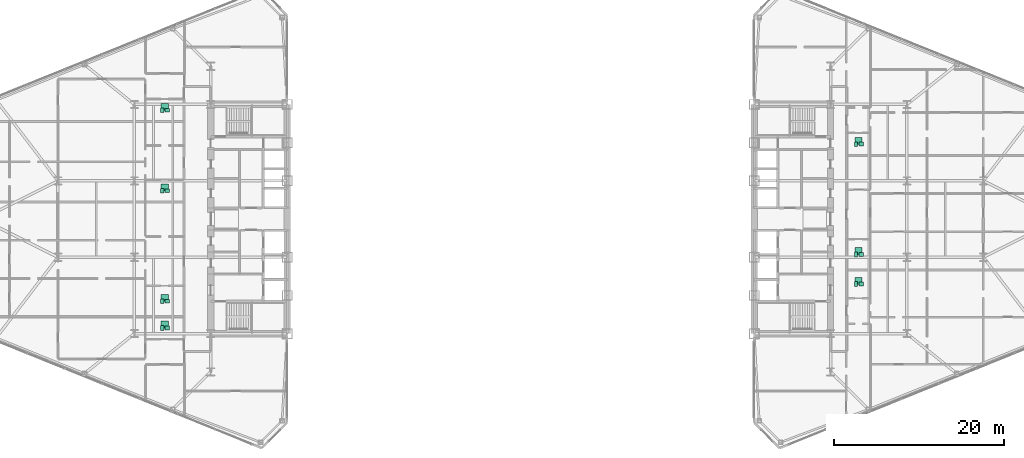
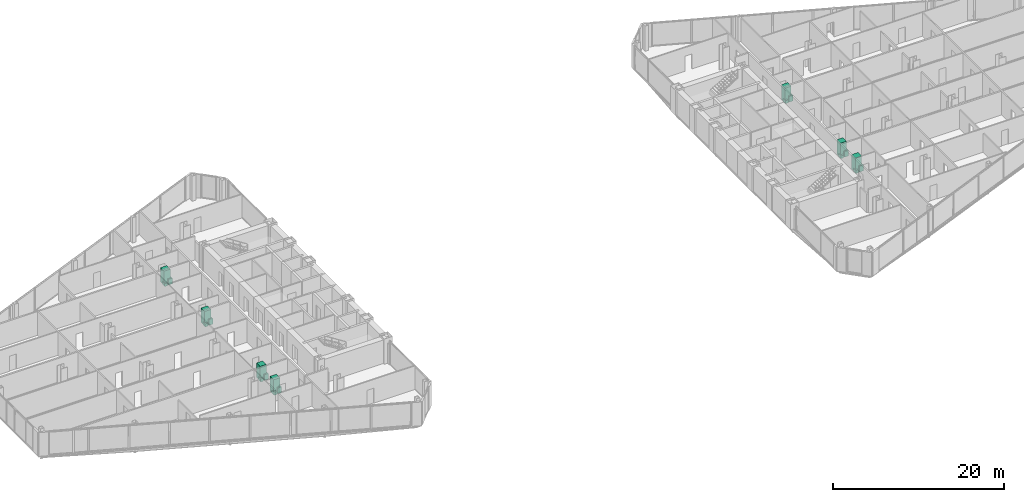
# One storey, part 25 of 25: 21 sanitary terminals.
"""IFC4 building model written with IfcOpenShell, lengths in metres."""

from ifc_helpers import new_model, si_unit, direction, frame, origin, origin_2d, place, context, subcontext, project, spatial, rectangle, extrude, source, transform, mapped, material, type_object, type_shapes, element, save


model = new_model("IFC4")

# Units and contexts
model_context = context("Model", 3, precision=1e-05, world=origin(), true_north=direction((0.0, 1.0)))
body_context = subcontext(model_context, "Body", "Model", "MODEL_VIEW")
ifc_project = project(units=[si_unit("LENGTHUNIT", "METRE"), si_unit("AREAUNIT", "SQUARE_METRE"), si_unit("VOLUMEUNIT", "CUBIC_METRE"), si_unit("PLANEANGLEUNIT", "RADIAN"), si_unit("MASSUNIT", "GRAM", prefix="KILO")], contexts=[model_context])

# Site, building, storey
site_placement = place(None, origin())
site = spatial("IfcSite", under=ifc_project, at=site_placement, CompositionType="ELEMENT")
building_placement = place(site_placement, origin())
building = spatial("IfcBuilding", under=site, at=building_placement, Name="Seokmaru Belvedere", CompositionType="ELEMENT")
storey_placement = place(building_placement, frame((0.0, 0.0, 26.10009765625)))
storey = spatial("IfcBuildingStorey", under=building, at=storey_placement, Name="L06", CompositionType="ELEMENT", Elevation=26.10009765625)

# Sanitary terminals
ifc_material_1 = material(Name="Vitreous China Sanitaryware")
sanitary_terminal_type_1 = type_object("IfcSanitaryTerminalType", Name="Wall-Hung Vitreous China WC Pan", PredefinedType="TOILETPAN", material=ifc_material_1)
shared_shape_1 = source(origin(), body_context, "Body", "SweptSolid", [
    extrude(rectangle(XDim=0.3798828125, YDim=0.56005859375, at=origin_2d()), origin(), (0.0, 0.0, 1.0), 0.419921875),
])
type_shapes(sanitary_terminal_type_1, [shared_shape_1])
for number, where, z_axis, x_axis, name in (
    (1, (-42.22509765625, -12.822021484375, 0.0), (0.0, 0.0, 1.0), (1.0, 0.0, 0.0), "L06 Vitreous China WC 0024"),
    (2, (-42.22509765625, -9.677978515625, 0.0), (0.0, 0.0, 1.0), (1.0, 0.0, 0.0), "L06 Vitreous China WC 0025"),
    (3, (-42.22509765625, 3.322021484375, 0.0), (0.0, 0.0, 1.0), (1.0, 0.0, 0.0), "L06 Vitreous China WC 0026"),
    (4, (-42.22509765625, 12.822021484375, 0.0), (0.0, 0.0, 1.0), (1.0, 0.0, 0.0), "L06 Vitreous China WC 0027"),
    (5, (39.5, -7.6640625, 0.0), (0.0, 0.0, 1.0), (1.0, 0.0, 0.0), "L06 Vitreous China WC 0028"),
    (6, (39.5, -4.177978515625, 0.0), (0.0, 0.0, 1.0), (1.0, 0.0, 0.0), "L06 Vitreous China WC 0029"),
    (7, (39.5, 8.822021484375, 0.0), (0.0, 0.0, 1.0), (1.0, 0.0, 0.0), "L06 Vitreous China WC 0030"),
):
    element("IfcSanitaryTerminal", number, at=place(storey_placement, frame(where, z_axis=z_axis, x_axis=x_axis)), inside=storey, type_object=sanitary_terminal_type_1, Name=name, PredefinedType="TOILETPAN", context=body_context, shape_type="MappedRepresentation", body=[
        mapped(shared_shape_1, transform((0.0, 0.0, 0.0), scale=1.0)),
    ])
sanitary_terminal_type_2 = type_object("IfcSanitaryTerminalType", Name="Countertop Ceramic Washhand Basin", PredefinedType="WASHHANDBASIN", material=ifc_material_1)
shared_shape_2 = source(origin(), body_context, "Body", "SweptSolid", [
    extrude(rectangle(XDim=0.550048828125, YDim=0.449951171875, at=origin_2d()), origin(), (0.0, 0.0, 1.0), 0.820068359375),
])
type_shapes(sanitary_terminal_type_2, [shared_shape_2])
for number, where, z_axis, x_axis, name in (
    (8, (-41.625, -12.822021484375, 0.0), (0.0, 0.0, 1.0), (1.0, 0.0, 0.0), "L06 Ceramic Washhand Basin 0024"),
    (9, (-41.625, -9.677978515625, 0.0), (0.0, 0.0, 1.0), (1.0, 0.0, 0.0), "L06 Ceramic Washhand Basin 0025"),
    (10, (-41.625, 3.322021484375, 0.0), (0.0, 0.0, 1.0), (1.0, 0.0, 0.0), "L06 Ceramic Washhand Basin 0026"),
    (11, (-41.625, 12.822021484375, 0.0), (0.0, 0.0, 1.0), (1.0, 0.0, 0.0), "L06 Ceramic Washhand Basin 0027"),
    (12, (40.10009765625, -7.6640625, 0.0), (0.0, 0.0, 1.0), (1.0, 0.0, 0.0), "L06 Ceramic Washhand Basin 0028"),
    (13, (40.10009765625, -4.177978515625, 0.0), (0.0, 0.0, 1.0), (1.0, 0.0, 0.0), "L06 Ceramic Washhand Basin 0029"),
    (14, (40.10009765625, 8.822021484375, 0.0), (0.0, 0.0, 1.0), (1.0, 0.0, 0.0), "L06 Ceramic Washhand Basin 0030"),
):
    element("IfcSanitaryTerminal", number, at=place(storey_placement, frame(where, z_axis=z_axis, x_axis=x_axis)), inside=storey, type_object=sanitary_terminal_type_2, Name=name, PredefinedType="WASHHANDBASIN", context=body_context, shape_type="MappedRepresentation", body=[
        mapped(shared_shape_2, transform((0.0, 0.0, 0.0), scale=1.0)),
    ])
ifc_material_2 = material(Name="Stainless Steel 316", Category="steel")
sanitary_terminal_type_3 = type_object("IfcSanitaryTerminalType", Name="Walk-In Thermostatic Rain Shower Enclosure", PredefinedType="SHOWER", material=ifc_material_2)
shared_shape_3 = source(origin(), body_context, "Body", "SweptSolid", [
    extrude(rectangle(XDim=0.85009765625, YDim=0.85009765625, at=origin_2d()), origin(), (0.0, 0.0, 1.0), 2.050048828125),
])
type_shapes(sanitary_terminal_type_3, [shared_shape_3])
for number, where, z_axis, x_axis, name in (
    (15, (-41.925048828125, -12.44189453125, 0.0), (0.0, 0.0, 1.0), (1.0, 0.0, 0.0), "L06 Walk-In Shower 0024"),
    (16, (-41.925048828125, -9.298095703125, 0.0), (0.0, 0.0, 1.0), (1.0, 0.0, 0.0), "L06 Walk-In Shower 0025"),
    (17, (-41.925048828125, 3.701904296875, 0.0), (0.0, 0.0, 1.0), (1.0, 0.0, 0.0), "L06 Walk-In Shower 0026"),
    (18, (-41.925048828125, 13.202880859375, 0.0), (0.0, 0.0, 1.0), (1.0, 0.0, 0.0), "L06 Walk-In Shower 0027"),
    (19, (39.800048828125, -7.283935546875, 0.0), (0.0, 0.0, 1.0), (1.0, 0.0, 0.0), "L06 Walk-In Shower 0028"),
    (20, (39.800048828125, -3.798095703125, 0.0), (0.0, 0.0, 1.0), (1.0, 0.0, 0.0), "L06 Walk-In Shower 0029"),
    (21, (39.800048828125, 9.202880859375, 0.0), (0.0, 0.0, 1.0), (1.0, 0.0, 0.0), "L06 Walk-In Shower 0030"),
):
    element("IfcSanitaryTerminal", number, at=place(storey_placement, frame(where, z_axis=z_axis, x_axis=x_axis)), inside=storey, type_object=sanitary_terminal_type_3, Name=name, PredefinedType="SHOWER", context=body_context, shape_type="MappedRepresentation", body=[
        mapped(shared_shape_3, transform((0.0, 0.0, 0.0), scale=1.0)),
    ])

save(model, "model.ifc")
